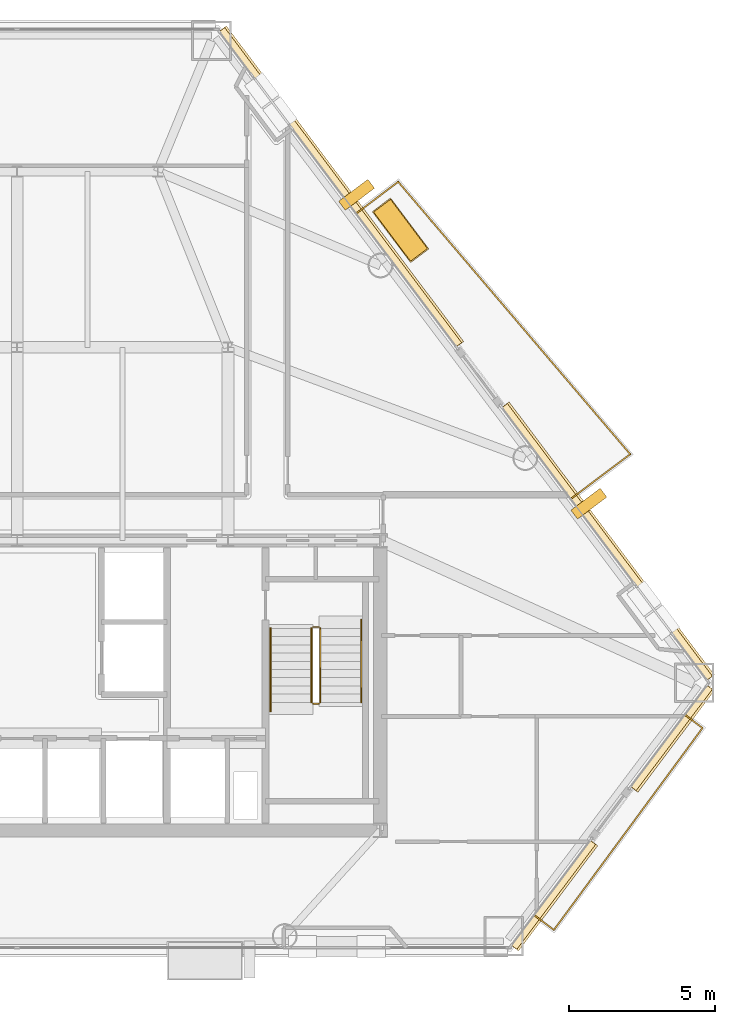
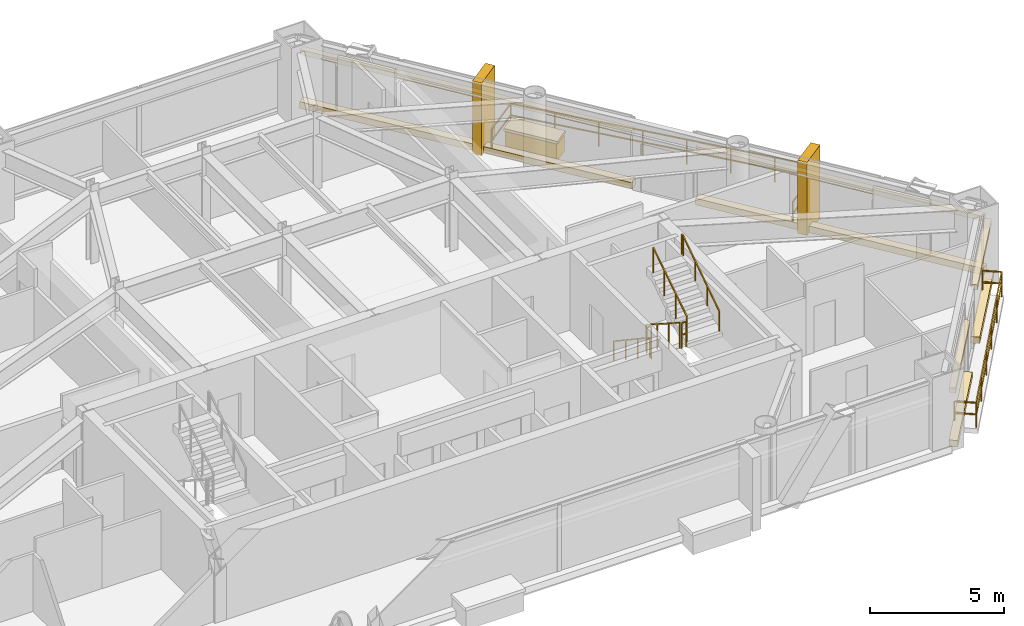
# One storey, part 10 of 10: 12 coverings, 8 railings.
"""IFC4 building model written with IfcOpenShell, lengths in metres."""

import ifcopenshell
import ifcopenshell.guid

model = None  # the IFC model being written
_history = None  # IfcOwnerHistory: only IFC2X3 demands one
_inside = {}  # id of a spatial element -> (the spatial element, [elements in it])
_under = {}  # id of a project, library or spatial element -> (it, [spatial elements below it])
_declared = {}  # id of a project -> (the project, [libraries it declares])
_typed = {}  # id of a type object -> (the type object, [elements of that type])
_made_of = {}  # id of a material, layer set ... -> (it, [elements and type objects made of it])


def new_model(schema):
    """Start an empty IFC model of exactly this schema.

    Asked for "IFC4X3", IfcOpenShell would pick the latest addendum, in which some entities
    have other attributes; the version numbers below select the first issue.
    IFC2X3 requires an IfcOwnerHistory on every rooted entity: one is made here for all.
    """
    global model, _history
    if schema == "IFC4X3":
        model = ifcopenshell.file(schema_version=(4, 3, 0, 0))
    else:
        model = ifcopenshell.file(schema=schema)
    _inside.clear()
    _under.clear()
    _declared.clear()
    _typed.clear()
    _made_of.clear()
    _history = None
    if model.schema == "IFC2X3":
        org = make("IfcOrganization", Name="unknown")
        user = make(
            "IfcPersonAndOrganization",
            ThePerson=make("IfcPerson", FamilyName="unknown"),
            TheOrganization=org,
        )
        app = make(
            "IfcApplication",
            ApplicationDeveloper=org,
            Version="unknown",
            ApplicationFullName="unknown",
            ApplicationIdentifier="unknown",
        )
        _history = make(
            "IfcOwnerHistory",
            OwningUser=user,
            OwningApplication=app,
            ChangeAction="ADDED",
            CreationDate=0,
        )
    return model


def make(cls, **values):
    """One entity of the class cls with the attributes given. An attribute that is None is left unset."""
    return model.create_entity(
        cls, **{name: value for name, value in values.items() if value is not None}
    )


def rooted(cls, **values):
    """An entity with a GlobalId (a new one), such as an element, a storey or a relation."""
    return make(cls, GlobalId=ifcopenshell.guid.new(), OwnerHistory=_history, **values)


def si_unit(unit_type, name, prefix=None):
    """IfcSIUnit, for example si_unit("LENGTHUNIT", "METRE", prefix="MILLI")."""
    return make("IfcSIUnit", UnitType=unit_type, Prefix=prefix, Name=name)


def assignment(units):
    """IfcUnitAssignment: the units of a project."""
    return None if units is None else make("IfcUnitAssignment", Units=units)


def point(xyz):
    """IfcCartesianPoint."""
    return None if xyz is None else make("IfcCartesianPoint", Coordinates=xyz)


def direction(xyz):
    """IfcDirection."""
    return None if xyz is None else make("IfcDirection", DirectionRatios=xyz)


def frame(location, z_axis=None, x_axis=None):
    """IfcAxis2Placement3D, a coordinate frame: its origin and axes. An axis left out is left unset."""
    return make(
        "IfcAxis2Placement3D",
        Location=point(location),
        Axis=direction(z_axis),
        RefDirection=direction(x_axis),
    )


def frame_2d(location, x_axis=None):
    """IfcAxis2Placement2D, a coordinate frame in the plane: its origin and x axis."""
    return make(
        "IfcAxis2Placement2D", Location=point(location), RefDirection=direction(x_axis)
    )


def origin():
    """The frame at (0, 0, 0) with its axes left unset."""
    return frame((0.0, 0.0, 0.0))


def origin_2d():
    """The frame at (0, 0) in the plane with its x axis left unset."""
    return frame_2d((0.0, 0.0))


def place(relative_to, where):
    """IfcLocalPlacement: puts the frame where relative to a parent placement (None: the world)."""
    return make(
        "IfcLocalPlacement", PlacementRelTo=relative_to, RelativePlacement=where
    )


def context(
    kind, dimensions, precision=None, world=None, true_north=None, identifier=None
):
    """IfcGeometricRepresentationContext, for example the 3D "Model" context."""
    return make(
        "IfcGeometricRepresentationContext",
        ContextIdentifier=identifier,
        ContextType=kind,
        CoordinateSpaceDimension=dimensions,
        Precision=precision,
        WorldCoordinateSystem=world,
        TrueNorth=true_north,
    )


def subcontext(parent, identifier, kind, view, scale=None):
    """IfcGeometricRepresentationSubContext, for example "Body" below "Model"."""
    return make(
        "IfcGeometricRepresentationSubContext",
        ContextIdentifier=identifier,
        ContextType=kind,
        ParentContext=parent,
        TargetScale=scale,
        TargetView=view,
    )


def project(units=None, contexts=None):
    """IfcProject with its units and contexts."""
    return rooted(
        "IfcProject",
        Name="project",
        RepresentationContexts=contexts,
        UnitsInContext=assignment(units),
    )


def spatial(cls, under=None, at=None, **own):
    """A site, building, storey or space (cls), placed at a placement, below another one or the project."""
    s = rooted(cls, ObjectPlacement=at, **own)
    if under is not None:
        _under.setdefault(under.id(), (under, []))[1].append(s)
    return s


def profile(cls, at=None, kind="AREA", **sizes):
    """A parametric profile (cls). Its sizes go by their IFC names, for example OverallWidth=200.0."""
    return make(cls, ProfileType=kind, Position=at, **sizes)


def rectangle(**sizes):
    """IfcRectangleProfileDef."""
    return profile("IfcRectangleProfileDef", **sizes)


def extrude(swept, where, along, depth):
    """IfcExtrudedAreaSolid: the profile swept, set in the frame where, extruded along a direction by depth."""
    return make(
        "IfcExtrudedAreaSolid",
        SweptArea=swept,
        Position=where,
        ExtrudedDirection=direction(along),
        Depth=depth,
    )


def shape(context_of_items, identifier, shape_type, items):
    """IfcShapeRepresentation: the items that make up one representation, for example the "Body"."""
    return make(
        "IfcShapeRepresentation",
        ContextOfItems=context_of_items,
        RepresentationIdentifier=identifier,
        RepresentationType=shape_type,
        Items=items,
    )


def material(Name=None, Category=None):
    """IfcMaterial."""
    return make("IfcMaterial", Name=Name, Category=Category)


def layer(
    of_material, thickness, ventilated=None, Name=None, Category=None, Priority=None
):
    """IfcMaterialLayer: one layer of a wall or slab, of a material (None: an air gap)."""
    return make(
        "IfcMaterialLayer",
        Material=of_material,
        LayerThickness=thickness,
        IsVentilated=ventilated,
        Name=Name,
        Category=Category,
        Priority=Priority,
    )


def layer_set(layers, Name=None):
    """IfcMaterialLayerSet."""
    return make("IfcMaterialLayerSet", MaterialLayers=layers, LayerSetName=Name)


def made_of(thing, what):
    """Note that an element or type object is made of a material, layer set ...; save() writes the relation."""
    if what is not None:
        _made_of.setdefault(what.id(), (what, []))[1].append(thing)
    return thing


def type_object(cls, material=None, **own):
    """A type object (cls), such as IfcWallType, which elements share."""
    return made_of(rooted(cls, **own), material)


def element(
    cls,
    number,
    at=None,
    inside=None,
    cuts=None,
    type_object=None,
    material=None,
    context=None,
    identifier="Body",
    shape_type=None,
    held_by="IfcProductDefinitionShape",
    body=None,
    shapes=None,
    **own,
):
    """One element of the class cls, such as IfcWall. Its Tag is "e" and its number.

    at: its placement. inside: the storey or other place that contains it. cuts: it is an
    opening in that element (IfcRelVoidsElement). A single representation is given by context,
    identifier, shape_type and body (its items); several are given by shapes. held_by: the class
    of the entity that holds the representations. save() writes the other relations.
    """
    e = rooted(cls, Tag="e%d" % number, ObjectPlacement=at, **own)
    if body is not None:
        shapes = [shape(context, identifier, shape_type, body)]
    if shapes is not None:
        e.Representation = make(held_by, Representations=shapes)
    if inside is not None:
        _inside.setdefault(inside.id(), (inside, []))[1].append(e)
    if cuts is not None:
        rooted(
            "IfcRelVoidsElement", RelatingBuildingElement=cuts, RelatedOpeningElement=e
        )
    if type_object is not None:
        _typed.setdefault(type_object.id(), (type_object, []))[1].append(e)
    return made_of(e, material)


def aggregate(whole, parts):
    """IfcRelAggregates: a whole, such as a stair, and the parts it consists of."""
    return rooted("IfcRelAggregates", RelatingObject=whole, RelatedObjects=parts)


def save(model, path):
    """Write the relations noted so far, then the file.

    IfcRelAggregates (storeys below a building ...), IfcRelContainedInSpatialStructure (elements
    in a storey), IfcRelDefinesByType, IfcRelAssociatesMaterial and IfcRelDeclares: one each for
    every whole, place, type object, material and project.
    """
    for whole, parts in _under.values():
        aggregate(whole, parts)
    for where, things in _inside.values():
        rooted(
            "IfcRelContainedInSpatialStructure",
            RelatedElements=things,
            RelatingStructure=where,
        )
    for kind, things in _typed.values():
        rooted("IfcRelDefinesByType", RelatedObjects=things, RelatingType=kind)
    for what, things in _made_of.values():
        rooted("IfcRelAssociatesMaterial", RelatedObjects=things, RelatingMaterial=what)
    for by, libraries in _declared.values():
        rooted("IfcRelDeclares", RelatingContext=by, RelatedDefinitions=libraries)
    model.write(path)


model = new_model("IFC4")

# Units and contexts
model_context = context("Model", 3, precision=1e-05, world=origin(), true_north=direction((0.0, 1.0)))
body_context = subcontext(model_context, "Body", "Model", "MODEL_VIEW")
ifc_project = project(units=[si_unit("LENGTHUNIT", "METRE"), si_unit("AREAUNIT", "SQUARE_METRE"), si_unit("VOLUMEUNIT", "CUBIC_METRE"), si_unit("PLANEANGLEUNIT", "RADIAN"), si_unit("MASSUNIT", "GRAM", prefix="KILO")], contexts=[model_context])

# Site, building, storey
site_placement = place(None, origin())
site = spatial("IfcSite", under=ifc_project, at=site_placement, CompositionType="ELEMENT")
building_placement = place(site_placement, origin())
building = spatial("IfcBuilding", under=site, at=building_placement, Name="Talgorran Terracotta Tower", CompositionType="ELEMENT")
storey_placement = place(building_placement, frame((0.0, 0.0, 86.39990234375)))
storey = spatial("IfcBuildingStorey", under=building, at=storey_placement, Name="L22", CompositionType="ELEMENT", Elevation=86.39990234375)

# Coverings
ifc_material_1 = material(Name="Kiln-Fired Terracotta Ochre Ceramic", Category="masonry")
ifc_layer_1 = layer(ifc_material_1, 0.179931640625, Name="COV_BAGUETTE_TERRACOTTA_SCREEN")
ifc_layer_set_1 = layer_set([ifc_layer_1], Name="Kiln-Fired Terracotta Ochre Ceramic")
covering_type_1 = type_object("IfcCoveringType", Name="COV_BAGUETTE_TERRACOTTA_SCREEN", PredefinedType="CLADDING", material=ifc_layer_set_1)
covering_1_placement = place(storey_placement, frame((18.304931640625, -16.285400390625, 2.41015625), z_axis=(0.0, 0.0, 1.0), x_axis=(0.601062059743, 0.79920235256, 0.0)))
element("IfcCovering", 1, at=covering_1_placement, inside=storey, type_object=covering_type_1, Name="L22 Terracotta Baguette Solar Screen Assembly F30", PredefinedType="CLADDING", context=body_context, shape_type="SweptSolid", body=[
    extrude(rectangle(XDim=4.476806640625, YDim=0.260009765625, at=origin_2d()), origin(), (0.0, 0.0, 1.0), 0.219970703125),
])
covering_2_placement = place(storey_placement, frame((22.333251953125, -10.928955078125, 2.41015625), z_axis=(0.0, 0.0, 1.0), x_axis=(0.601062059743, 0.79920235256, 0.0)))
element("IfcCovering", 2, at=covering_2_placement, inside=storey, type_object=covering_type_1, Name="L22 Terracotta Baguette Solar Screen Assembly F31", PredefinedType="CLADDING", context=body_context, shape_type="SweptSolid", body=[
    extrude(rectangle(XDim=4.327392578125, YDim=0.260009765625, at=origin_2d()), origin(), (0.0, 0.0, 1.0), 0.219970703125),
])
covering_3_placement = place(storey_placement, frame((20.135009765625, -4.251220703125, 2.41015625), z_axis=(0.0, 0.0, 1.0), x_axis=(-0.601048110939, 0.79921284295, 0.0)))
element("IfcCovering", 3, at=covering_3_placement, inside=storey, type_object=covering_type_1, Name="L22 Terracotta Baguette Solar Screen Assembly F40", PredefinedType="CLADDING", context=body_context, shape_type="SweptSolid", body=[
    extrude(rectangle(XDim=11.642822265625, YDim=0.260009765625, at=origin_2d()), origin(), (0.0, 0.0, 1.0), 0.219970703125),
])
covering_4_placement = place(storey_placement, frame((11.028076171875, 7.8583984375, 2.41015625), z_axis=(0.0, 0.0, 1.0), x_axis=(-0.601048110939, 0.79921284295, 0.0)))
element("IfcCovering", 4, at=covering_4_placement, inside=storey, type_object=covering_type_1, Name="L22 Terracotta Baguette Solar Screen Assembly F41", PredefinedType="CLADDING", context=body_context, shape_type="SweptSolid", body=[
    extrude(rectangle(XDim=13.460693359375, YDim=0.260009765625, at=origin_2d()), origin(), (0.0, 0.0, 1.0), 0.219970703125),
])
ifc_material_2 = material(Name="Honed Limestone and Terracotta Planter", Category="masonry")
ifc_layer_2 = layer(ifc_material_2, 0.1201171875, Name="COV_PLANTER_BOX")
ifc_layer_set_2 = layer_set([ifc_layer_2], Name="Honed Limestone and Terracotta Planter")
covering_type_2 = type_object("IfcCoveringType", Name="COV_PLANTER_BOX", PredefinedType="CLADDING", material=ifc_layer_set_2)
covering_5_placement = place(storey_placement, frame((13.092041015625, 6.394775390625, -0.02001953125), z_axis=(0.0, 0.0, 1.0), x_axis=(-0.601048110939, 0.79921284295, 0.0)))
element("IfcCovering", 5, at=covering_5_placement, inside=storey, type_object=covering_type_2, Name="L22 Staggered Balcony Planter Box BAL-NE", PredefinedType="CLADDING", context=body_context, shape_type="SweptSolid", body=[
    extrude(rectangle(XDim=2.10009765625, YDim=0.719970703125, at=origin_2d()), origin(), (0.0, 0.0, 1.0), 0.860107421875),
])
ifc_material_3 = material(Name="Kiln-Fired Terracotta Planter Rim", Category="masonry")
ifc_layer_3 = layer(ifc_material_3, 0.10009765625, Name="COV_PLANTER_RIM")
ifc_layer_set_3 = layer_set([ifc_layer_3], Name="Kiln-Fired Terracotta Planter Rim")
covering_type_3 = type_object("IfcCoveringType", Name="COV_PLANTER_RIM", PredefinedType="CLADDING", material=ifc_layer_set_3)
covering_6_placement = place(storey_placement, frame((13.092041015625, 6.394775390625, 0.800048828125), z_axis=(0.0, 0.0, 1.0), x_axis=(-0.601048110939, 0.79921284295, 0.0)))
element("IfcCovering", 6, at=covering_6_placement, inside=storey, type_object=covering_type_3, Name="L22 Balcony Planter Terracotta Rim BAL-NE", PredefinedType="CLADDING", context=body_context, shape_type="SweptSolid", body=[
    extrude(rectangle(XDim=2.179931640625, YDim=0.780029296875, at=origin_2d()), origin(), (0.0, 0.0, 1.0), 0.1201171875),
])
ifc_material_4 = material(Name="Honed Limestone Cladding", Category="masonry")
ifc_layer_4 = layer(ifc_material_4, 0.094970703125, Name="COV_PORTAL_LIME")
ifc_layer_set_4 = layer_set([ifc_layer_4], Name="Honed Limestone Cladding")
covering_type_4 = type_object("IfcCoveringType", Name="COV_PORTAL_LIME", PredefinedType="CLADDING", material=ifc_layer_set_4)
covering_7_placement = place(storey_placement, frame((18.3369140625, -16.309326171875, -0.0400390625), z_axis=(0.0, 0.0, 1.0), x_axis=(0.601062059743, 0.79920235256, 0.0)))
element("IfcCovering", 7, at=covering_7_placement, inside=storey, type_object=covering_type_4, Name="L22 Striped Postmodern Portal Cladding Band F30", PredefinedType="CLADDING", context=body_context, shape_type="SweptSolid", body=[
    extrude(rectangle(XDim=4.496826171875, YDim=0.340087890625, at=origin_2d()), origin(), (0.0, 0.0, 1.0), 0.300048828125),
])
covering_8_placement = place(storey_placement, frame((22.365234375, -10.952880859375, -0.0400390625), z_axis=(0.0, 0.0, 1.0), x_axis=(0.601062059743, 0.79920235256, 0.0)))
element("IfcCovering", 8, at=covering_8_placement, inside=storey, type_object=covering_type_4, Name="L22 Striped Postmodern Portal Cladding Band F31", PredefinedType="CLADDING", context=body_context, shape_type="SweptSolid", body=[
    extrude(rectangle(XDim=4.347412109375, YDim=0.340087890625, at=origin_2d()), origin(), (0.0, 0.0, 1.0), 0.300048828125),
])
covering_9_placement = place(storey_placement, frame((20.166748046875, -4.22705078125, -0.0400390625), z_axis=(0.0, 0.0, 1.0), x_axis=(-0.601048110939, 0.79921284295, 0.0)))
element("IfcCovering", 9, at=covering_9_placement, inside=storey, type_object=covering_type_4, Name="L22 Striped Postmodern Portal Cladding Band F40", PredefinedType="CLADDING", context=body_context, shape_type="SweptSolid", body=[
    extrude(rectangle(XDim=11.662841796875, YDim=0.340087890625, at=origin_2d()), origin(), (0.0, 0.0, 1.0), 0.300048828125),
])
covering_10_placement = place(storey_placement, frame((11.059814453125, 7.88232421875, -0.0400390625), z_axis=(0.0, 0.0, 1.0), x_axis=(-0.601048110939, 0.79921284295, 0.0)))
element("IfcCovering", 10, at=covering_10_placement, inside=storey, type_object=covering_type_4, Name="L22 Striped Postmodern Portal Cladding Band F41", PredefinedType="CLADDING", context=body_context, shape_type="SweptSolid", body=[
    extrude(rectangle(XDim=13.480712890625, YDim=0.340087890625, at=origin_2d()), origin(), (0.0, 0.0, 1.0), 0.300048828125),
])
covering_11_placement = place(storey_placement, frame((11.591796875, 7.607666015625, -0.050048828125), z_axis=(0.0, 0.0, 1.0), x_axis=(-0.601048110939, 0.79921284295, 0.0)))
element("IfcCovering", 11, at=covering_11_placement, inside=storey, type_object=covering_type_4, Name="L22 White Striped Portal Fin F3-2", PredefinedType="CLADDING", context=body_context, shape_type="SweptSolid", body=[
    extrude(rectangle(XDim=0.3798828125, YDim=1.25, at=origin_2d()), origin(), (0.0, 0.0, 1.0), 3.330078125),
])
ifc_material_5 = material(Name="Kiln-Fired Terracotta Cladding", Category="masonry")
ifc_layer_5 = layer(ifc_material_5, 0.090087890625, Name="COV_PORTAL_TERRA")
ifc_layer_set_5 = layer_set([ifc_layer_5], Name="Kiln-Fired Terracotta Cladding")
covering_type_5 = type_object("IfcCoveringType", Name="COV_PORTAL_TERRA", PredefinedType="CLADDING", material=ifc_layer_set_5)
covering_12_placement = place(storey_placement, frame((19.5224609375, -2.937744140625, -0.050048828125), z_axis=(0.0, 0.0, 1.0), x_axis=(-0.601048110939, 0.79921284295, 0.0)))
element("IfcCovering", 12, at=covering_12_placement, inside=storey, type_object=covering_type_5, Name="L22 Terracotta Striped Portal Fin F3-1", PredefinedType="CLADDING", context=body_context, shape_type="SweptSolid", body=[
    extrude(rectangle(XDim=0.3798828125, YDim=1.25, at=origin_2d()), origin(), (0.0, 0.0, 1.0), 3.330078125),
])

# Railings
ifc_material_6 = material(Name="Laminated Glass and Stainless Steel 316", Category="steel")
railing_type_1 = type_object("IfcRailingType", Name="RL_BALCONY_1150", PredefinedType="BALUSTRADE", material=ifc_material_6)
railing_1_placement = place(storey_placement, frame((18.91748046875, -2.765625, 0.0)))
element("IfcRailing", 13, at=railing_1_placement, inside=storey, type_object=railing_type_1, Name="RL-L22-BAL-BAL-NE", PredefinedType="BALUSTRADE", context=body_context, shape_type="SweptSolid", body=[
    extrude(rectangle(XDim=0.048095703125, YDim=0.048095703125, at=origin_2d()), frame((0.0, 0.0, 1.1259765625), z_axis=(0.799185942749, 0.601083878433, 0.0), x_axis=(-0.601083878433, 0.799185942749, 0.0)), (0.0, 0.0, 1.0), 2.521484375),
    extrude(rectangle(XDim=0.048095703125, YDim=0.048095703125, at=origin_2d()), frame((0.0, 0.0, 0.597900390625), z_axis=(0.799185942749, 0.601083878433, 0.0), x_axis=(-0.601083878433, 0.799185942749, 0.0)), (0.0, 0.0, 1.0), 2.521484375),
    extrude(rectangle(XDim=0.048095703125, YDim=0.048095703125, at=origin_2d()), frame((2.01513671875, 1.515625, 1.1259765625), z_axis=(-0.648406396501, 0.761294387853, 0.0), x_axis=(-0.761294387853, -0.648406396501, 0.0)), (0.0, 0.0, 1.0), 12.21484375),
    extrude(rectangle(XDim=0.048095703125, YDim=0.048095703125, at=origin_2d()), frame((2.01513671875, 1.515625, 0.597900390625), z_axis=(-0.648406396501, 0.761294387853, 0.0), x_axis=(-0.761294387853, -0.648406396501, 0.0)), (0.0, 0.0, 1.0), 12.21484375),
    extrude(rectangle(XDim=0.048095703125, YDim=0.048095703125, at=origin_2d()), frame((-5.905029296875, 10.814697265625, 1.1259765625), z_axis=(-0.799193092332, -0.601074372411, 0.0), x_axis=(0.601074372411, -0.799193092332, 0.0)), (0.0, 0.0, 1.0), 1.78076171875),
    extrude(rectangle(XDim=0.048095703125, YDim=0.048095703125, at=origin_2d()), frame((-5.905029296875, 10.814697265625, 0.597900390625), z_axis=(-0.799193092332, -0.601074372411, 0.0), x_axis=(0.601074372411, -0.799193092332, 0.0)), (0.0, 0.0, 1.0), 1.78076171875),
    extrude(rectangle(XDim=0.0419921875, YDim=0.0419921875, at=origin_2d()), origin(), (0.0, 0.0, 1.0), 1.101806640625),
    extrude(rectangle(XDim=0.0419921875, YDim=0.0419921875, at=origin_2d()), frame((1.007568359375, 0.7578125, 0.0)), (0.0, 0.0, 1.0), 1.101806640625),
    extrude(rectangle(XDim=0.0419921875, YDim=0.0419921875, at=origin_2d()), frame((2.01513671875, 1.515625, 0.0)), (0.0, 0.0, 1.0), 1.101806640625),
    extrude(rectangle(XDim=0.0419921875, YDim=0.0419921875, at=origin_2d()), frame((0.8837890625, 2.843994140625, 0.0)), (0.0, 0.0, 1.0), 1.101806640625),
    extrude(rectangle(XDim=0.0419921875, YDim=0.0419921875, at=origin_2d()), frame((-0.247802734375, 4.172607421875, 0.0)), (0.0, 0.0, 1.0), 1.101806640625),
    extrude(rectangle(XDim=0.0419921875, YDim=0.0419921875, at=origin_2d()), frame((-1.379150390625, 5.5009765625, 0.0)), (0.0, 0.0, 1.0), 1.101806640625),
    extrude(rectangle(XDim=0.0419921875, YDim=0.0419921875, at=origin_2d()), frame((-2.5107421875, 6.829345703125, 0.0)), (0.0, 0.0, 1.0), 1.101806640625),
    extrude(rectangle(XDim=0.0419921875, YDim=0.0419921875, at=origin_2d()), frame((-3.64208984375, 8.15771484375, 0.0)), (0.0, 0.0, 1.0), 1.101806640625),
    extrude(rectangle(XDim=0.0419921875, YDim=0.0419921875, at=origin_2d()), frame((-4.773681640625, 9.486328125, 0.0)), (0.0, 0.0, 1.0), 1.101806640625),
    extrude(rectangle(XDim=0.0419921875, YDim=0.0419921875, at=origin_2d()), frame((-5.905029296875, 10.814697265625, 0.0)), (0.0, 0.0, 1.0), 1.101806640625),
    extrude(rectangle(XDim=0.0419921875, YDim=0.0419921875, at=origin_2d()), frame((-7.328125, 9.744384765625, 0.0)), (0.0, 0.0, 1.0), 1.101806640625),
])
railing_2_placement = place(storey_placement, frame((17.669189453125, -16.997802734375, 0.0)))
element("IfcRailing", 14, at=railing_2_placement, inside=storey, type_object=railing_type_1, Name="RL-L22-BAL-BAL-SE", PredefinedType="BALUSTRADE", context=body_context, shape_type="SweptSolid", body=[
    extrude(rectangle(XDim=0.048095703125, YDim=0.048095703125, at=origin_2d()), frame((0.0, 0.0, 1.1259765625), z_axis=(0.799252581471, -0.600995267046, 0.0), x_axis=(0.600995267046, 0.799252581471, 0.0)), (0.0, 0.0, 1.0), 0.82373046875),
    extrude(rectangle(XDim=0.048095703125, YDim=0.048095703125, at=origin_2d()), frame((0.0, 0.0, 0.597900390625), z_axis=(0.799252581471, -0.600995267046, 0.0), x_axis=(0.600995267046, 0.799252581471, 0.0)), (0.0, 0.0, 1.0), 0.82373046875),
    extrude(rectangle(XDim=0.048095703125, YDim=0.048095703125, at=origin_2d()), frame((0.658447265625, -0.4951171875, 1.1259765625), z_axis=(0.592770931258, 0.805371108903, 0.0), x_axis=(-0.805371108903, 0.592770931258, 0.0)), (0.0, 0.0, 1.0), 8.56103515625),
    extrude(rectangle(XDim=0.048095703125, YDim=0.048095703125, at=origin_2d()), frame((0.658447265625, -0.4951171875, 0.597900390625), z_axis=(0.592770931258, 0.805371108903, 0.0), x_axis=(-0.805371108903, 0.592770931258, 0.0)), (0.0, 0.0, 1.0), 8.56103515625),
    extrude(rectangle(XDim=0.048095703125, YDim=0.048095703125, at=origin_2d()), frame((5.733154296875, 6.399658203125, 1.1259765625), z_axis=(-0.799202747424, 0.601061534711, 0.0), x_axis=(-0.601061534711, -0.799202747424, 0.0)), (0.0, 0.0, 1.0), 0.735595703125),
    extrude(rectangle(XDim=0.048095703125, YDim=0.048095703125, at=origin_2d()), frame((5.733154296875, 6.399658203125, 0.597900390625), z_axis=(-0.799202747424, 0.601061534711, 0.0), x_axis=(-0.601061534711, -0.799202747424, 0.0)), (0.0, 0.0, 1.0), 0.735595703125),
    extrude(rectangle(XDim=0.0419921875, YDim=0.0419921875, at=origin_2d()), origin(), (0.0, 0.0, 1.0), 1.101806640625),
    extrude(rectangle(XDim=0.0419921875, YDim=0.0419921875, at=origin_2d()), frame((0.658447265625, -0.4951171875, 0.0)), (0.0, 0.0, 1.0), 1.101806640625),
    extrude(rectangle(XDim=0.0419921875, YDim=0.0419921875, at=origin_2d()), frame((1.67333984375, 0.8837890625, 0.0)), (0.0, 0.0, 1.0), 1.101806640625),
    extrude(rectangle(XDim=0.0419921875, YDim=0.0419921875, at=origin_2d()), frame((2.688232421875, 2.2626953125, 0.0)), (0.0, 0.0, 1.0), 1.101806640625),
    extrude(rectangle(XDim=0.0419921875, YDim=0.0419921875, at=origin_2d()), frame((3.703369140625, 3.641845703125, 0.0)), (0.0, 0.0, 1.0), 1.101806640625),
    extrude(rectangle(XDim=0.0419921875, YDim=0.0419921875, at=origin_2d()), frame((4.71826171875, 5.020751953125, 0.0)), (0.0, 0.0, 1.0), 1.101806640625),
    extrude(rectangle(XDim=0.0419921875, YDim=0.0419921875, at=origin_2d()), frame((5.733154296875, 6.399658203125, 0.0)), (0.0, 0.0, 1.0), 1.101806640625),
    extrude(rectangle(XDim=0.0419921875, YDim=0.0419921875, at=origin_2d()), frame((5.145263671875, 6.841796875, 0.0)), (0.0, 0.0, 1.0), 1.101806640625),
])
ifc_material_7 = material(Name="Steel S355 (300PLUS)", Category="steel")
railing_type_2 = type_object("IfcRailingType", Name="RL_HANDRAIL_920", PredefinedType="HANDRAIL", material=ifc_material_7)
railing_3_placement = place(storey_placement, frame((8.64990234375, -7.199951171875, 0.18017578125)))
element("IfcRailing", 15, at=railing_3_placement, inside=storey, type_object=railing_type_2, Name="L22 ST-02 stair handrail 1", PredefinedType="HANDRAIL", context=body_context, shape_type="SweptSolid", body=[
    extrude(rectangle(XDim=0.048095703125, YDim=0.048095703125, at=origin_2d()), frame((0.0, 0.0, 0.89599609375), z_axis=(0.0, -0.832073444223, 0.554665469827), x_axis=(1.0, 0.0, 0.0)), (0.0, 0.0, 1.0), 3.244873046875),
    extrude(rectangle(XDim=0.048095703125, YDim=0.048095703125, at=origin_2d()), frame((0.0, -2.699951171875, 2.69580078125), z_axis=(0.0, -1.0, 0.0), x_axis=(1.0, 0.0, 0.0)), (0.0, 0.0, 1.0), 0.1201171875),
    extrude(rectangle(XDim=0.0419921875, YDim=0.0419921875, at=origin_2d()), origin(), (0.0, 0.0, 1.0), 0.871826171875),
    extrude(rectangle(XDim=0.0419921875, YDim=0.0419921875, at=origin_2d()), frame((0.0, -0.89990234375, 0.599853515625)), (0.0, 0.0, 1.0), 0.871826171875),
    extrude(rectangle(XDim=0.0419921875, YDim=0.0419921875, at=origin_2d()), frame((0.0, -1.800048828125, 1.199951171875)), (0.0, 0.0, 1.0), 0.871826171875),
    extrude(rectangle(XDim=0.0419921875, YDim=0.0419921875, at=origin_2d()), frame((0.0, -2.699951171875, 1.7998046875)), (0.0, 0.0, 1.0), 0.871826171875),
    extrude(rectangle(XDim=0.0419921875, YDim=0.0419921875, at=origin_2d()), frame((0.0, -2.820068359375, 1.7998046875)), (0.0, 0.0, 1.0), 0.871826171875),
])
railing_4_placement = place(storey_placement, frame((11.75, -9.719970703125, 1.97998046875)))
element("IfcRailing", 16, at=railing_4_placement, inside=storey, type_object=railing_type_2, Name="L22 ST-02 stair handrail 2", PredefinedType="HANDRAIL", context=body_context, shape_type="SweptSolid", body=[
    extrude(rectangle(XDim=0.048095703125, YDim=0.048095703125, at=origin_2d()), frame((0.0, 0.0, 0.89599609375), z_axis=(0.0, 0.832038719335, 0.554717558338), x_axis=(-1.0, 0.0, 0.0)), (0.0, 0.0, 1.0), 3.244873046875),
    extrude(rectangle(XDim=0.048095703125, YDim=0.048095703125, at=origin_2d()), frame((0.0, 2.699951171875, 2.69580078125), z_axis=(0.0, 1.0, 0.0), x_axis=(-1.0, 0.0, 0.0)), (0.0, 0.0, 1.0), 0.1201171875),
    extrude(rectangle(XDim=0.0419921875, YDim=0.0419921875, at=origin_2d()), origin(), (0.0, 0.0, 1.0), 0.871826171875),
    extrude(rectangle(XDim=0.0419921875, YDim=0.0419921875, at=origin_2d()), frame((0.0, 0.89990234375, 0.60009765625)), (0.0, 0.0, 1.0), 0.871826171875),
    extrude(rectangle(XDim=0.0419921875, YDim=0.0419921875, at=origin_2d()), frame((0.0, 1.800048828125, 1.199951171875)), (0.0, 0.0, 1.0), 0.871826171875),
    extrude(rectangle(XDim=0.0419921875, YDim=0.0419921875, at=origin_2d()), frame((0.0, 2.699951171875, 1.800048828125)), (0.0, 0.0, 1.0), 0.871826171875),
    extrude(rectangle(XDim=0.0419921875, YDim=0.0419921875, at=origin_2d()), frame((0.0, 2.820068359375, 1.800048828125)), (0.0, 0.0, 1.0), 0.871826171875),
])
railing_type_3 = type_object("IfcRailingType", Name="RL_STAIR_GUARD", PredefinedType="GUARDRAIL", material=ifc_material_7)
railing_5_placement = place(storey_placement, frame((10.050048828125, -7.199951171875, 0.18017578125)))
element("IfcRailing", 17, at=railing_5_placement, inside=storey, type_object=railing_type_3, Name="L22 ST-02 stair guard 1", PredefinedType="GUARDRAIL", context=body_context, shape_type="SweptSolid", body=[
    extrude(rectangle(XDim=0.048095703125, YDim=0.048095703125, at=origin_2d()), frame((0.0, 0.0, 1.15576171875), z_axis=(0.0, -0.841199657755, 0.540724639528), x_axis=(1.0, 0.0, 0.0)), (0.0, 0.0, 1.0), 2.995849609375),
    extrude(rectangle(XDim=0.0419921875, YDim=0.0419921875, at=origin_2d()), origin(), (0.0, 0.0, 1.0), 1.1318359375),
    extrude(rectangle(XDim=0.0419921875, YDim=0.0419921875, at=origin_2d()), frame((0.0, -0.840087890625, 0.5400390625)), (0.0, 0.0, 1.0), 1.1318359375),
    extrude(rectangle(XDim=0.0419921875, YDim=0.0419921875, at=origin_2d()), frame((0.0, -1.679931640625, 1.079833984375)), (0.0, 0.0, 1.0), 1.1318359375),
    extrude(rectangle(XDim=0.0419921875, YDim=0.0419921875, at=origin_2d()), frame((0.0, -2.52001953125, 1.619873046875)), (0.0, 0.0, 1.0), 1.1318359375),
])
railing_6_placement = place(storey_placement, frame((10.10009765625, -9.77001953125, 1.800048828125)))
element("IfcRailing", 18, at=railing_6_placement, inside=storey, type_object=railing_type_3, Name="L22 ST-02 stair guard 2", PredefinedType="GUARDRAIL", context=body_context, shape_type="SweptSolid", body=[
    extrude(rectangle(XDim=0.048095703125, YDim=0.048095703125, at=origin_2d()), frame((0.0, 0.0, 1.15576171875), z_axis=(1.0, 0.0, 0.0), x_axis=(0.0, 1.0, 0.0)), (0.0, 0.0, 1.0), 0.199951171875),
    extrude(rectangle(XDim=0.048095703125, YDim=0.048095703125, at=origin_2d()), frame((0.0, 0.0, 0.613525390625), z_axis=(1.0, 0.0, 0.0), x_axis=(0.0, 1.0, 0.0)), (0.0, 0.0, 1.0), 0.199951171875),
    extrude(rectangle(XDim=0.0419921875, YDim=0.0419921875, at=origin_2d()), origin(), (0.0, 0.0, 1.0), 1.1318359375),
    extrude(rectangle(XDim=0.0419921875, YDim=0.0419921875, at=origin_2d()), frame((0.199951171875, 0.0, 0.0)), (0.0, 0.0, 1.0), 1.1318359375),
])
railing_7_placement = place(storey_placement, frame((10.35009765625, -9.719970703125, 1.97998046875)))
element("IfcRailing", 19, at=railing_7_placement, inside=storey, type_object=railing_type_3, Name="L22 ST-02 stair guard 3", PredefinedType="GUARDRAIL", context=body_context, shape_type="SweptSolid", body=[
    extrude(rectangle(XDim=0.048095703125, YDim=0.048095703125, at=origin_2d()), frame((0.0, 0.0, 1.15576171875), z_axis=(0.0, 0.841162588446, 0.540782303519), x_axis=(-1.0, 0.0, 0.0)), (0.0, 0.0, 1.0), 2.995849609375),
    extrude(rectangle(XDim=0.0419921875, YDim=0.0419921875, at=origin_2d()), origin(), (0.0, 0.0, 1.0), 1.1318359375),
    extrude(rectangle(XDim=0.0419921875, YDim=0.0419921875, at=origin_2d()), frame((0.0, 0.840087890625, 0.5400390625)), (0.0, 0.0, 1.0), 1.1318359375),
    extrude(rectangle(XDim=0.0419921875, YDim=0.0419921875, at=origin_2d()), frame((0.0, 1.679931640625, 1.080078125)), (0.0, 0.0, 1.0), 1.1318359375),
    extrude(rectangle(XDim=0.0419921875, YDim=0.0419921875, at=origin_2d()), frame((0.0, 2.52001953125, 1.6201171875)), (0.0, 0.0, 1.0), 1.1318359375),
])
railing_8_placement = place(storey_placement, frame((10.10009765625, -7.14990234375, 0.0)))
element("IfcRailing", 20, at=railing_8_placement, inside=storey, type_object=railing_type_3, Name="L22 ST-02 stair guard 4", PredefinedType="GUARDRAIL", context=body_context, shape_type="SweptSolid", body=[
    extrude(rectangle(XDim=0.048095703125, YDim=0.048095703125, at=origin_2d()), frame((0.0, 0.0, 1.15576171875), z_axis=(1.0, 0.0, 0.0), x_axis=(0.0, 1.0, 0.0)), (0.0, 0.0, 1.0), 0.199951171875),
    extrude(rectangle(XDim=0.048095703125, YDim=0.048095703125, at=origin_2d()), frame((0.0, 0.0, 0.613525390625), z_axis=(1.0, 0.0, 0.0), x_axis=(0.0, 1.0, 0.0)), (0.0, 0.0, 1.0), 0.199951171875),
    extrude(rectangle(XDim=0.0419921875, YDim=0.0419921875, at=origin_2d()), origin(), (0.0, 0.0, 1.0), 1.1318359375),
    extrude(rectangle(XDim=0.0419921875, YDim=0.0419921875, at=origin_2d()), frame((0.199951171875, 0.0, 0.0)), (0.0, 0.0, 1.0), 1.1318359375),
])

save(model, "model.ifc")
